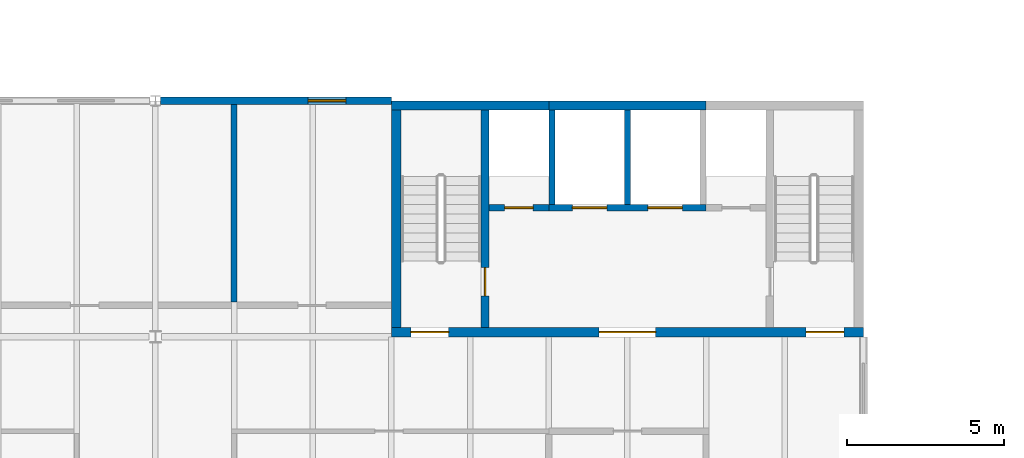
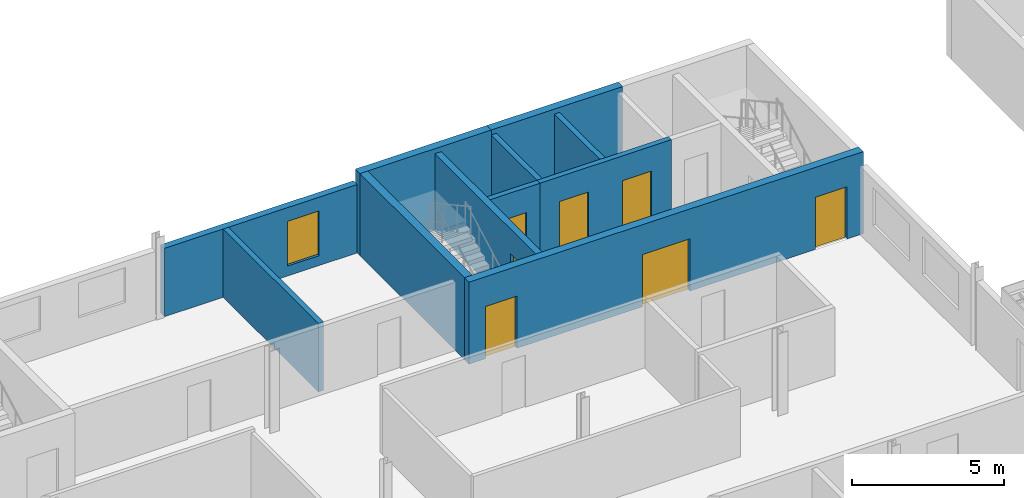
# One storey, part 48 of 198: 11 walls, 7 doors, 1 window, 8 openings.
"""IFC4 building model written with IfcOpenShell, lengths in metres."""

from ifc_helpers import new_model, si_unit, direction, frame, frame_2d, origin, place, context, subcontext, project, spatial, rectangle, extrude, material, layer, layer_set, type_object, element, fill, save


model = new_model("IFC4")

# Units and contexts
model_context = context("Model", 3, precision=1e-05, world=origin(), true_north=direction((0.0, 1.0)))
body_context = subcontext(model_context, "Body", "Model", "MODEL_VIEW")
ifc_project = project(units=[si_unit("LENGTHUNIT", "METRE"), si_unit("AREAUNIT", "SQUARE_METRE"), si_unit("VOLUMEUNIT", "CUBIC_METRE"), si_unit("PLANEANGLEUNIT", "RADIAN"), si_unit("MASSUNIT", "GRAM", prefix="KILO")], contexts=[model_context])

# Site, building, storey
site_placement = place(None, origin())
site = spatial("IfcSite", under=ifc_project, at=site_placement, CompositionType="ELEMENT")
building_placement = place(site_placement, origin())
building = spatial("IfcBuilding", under=site, at=building_placement, Name="Parallax Yard Mobility Hub", CompositionType="ELEMENT")
storey_placement = place(building_placement, frame((0.0, 0.0, 6.60009765625)))
storey = spatial("IfcBuildingStorey", under=building, at=storey_placement, Name="L02", CompositionType="ELEMENT", Elevation=6.60009765625)

# Wall, openings, doors
ifc_material_1 = material(Name="Concrete fc' 35 MPa", Category="concrete")
ifc_layer_1 = layer(ifc_material_1, 0.300048828125)
ifc_layer_set_1 = layer_set([ifc_layer_1], Name="Concrete fc' 35 MPa core wall 300")
wall_type_1 = type_object("IfcWallType", Name="Concrete fc' 35 MPa core wall 300", PredefinedType="SHEAR", material=ifc_layer_set_1)
wall_1_placement = place(storey_placement, frame((142.5, 45.14990234375, 0.0), z_axis=(0.0, 0.0, 1.0), x_axis=(-1.0, 0.0, 0.0)))
wall_1 = element("IfcWall", 1, at=wall_1_placement, inside=storey, type_object=wall_type_1, Name="Core C6-E entry wall level L02", PredefinedType="SHEAR", context=body_context, shape_type="SweptSolid", body=[
    extrude(rectangle(XDim=15.0, YDim=0.300048828125, at=frame_2d((7.5, 0.0))), origin(), (0.0, 0.0, 1.0), 3.2998046875),
])
opening_1_placement = place(wall_1_placement, frame((13.179931640625, 0.0, 0.0)))
opening_1 = element("IfcOpeningElement", 2, at=opening_1_placement, cuts=wall_1, Name="Opening L02-D742", PredefinedType="OPENING", context=body_context, shape_type="SweptSolid", body=[
    extrude(rectangle(XDim=1.199951171875, YDim=2.10009765625, at=frame_2d((0.60009765625, 1.050048828125))), frame((0.0, 0.16015625, 0.0), z_axis=(0.0, -1.0, 0.0), x_axis=(1.0, 0.0, 0.0)), (0.0, 0.0, 1.0), 0.320068359375),
])
opening_2_placement = place(wall_1_placement, frame((0.6201171875, 0.0, 0.0)))
opening_2 = element("IfcOpeningElement", 3, at=opening_2_placement, cuts=wall_1, Name="Opening L02-D743", PredefinedType="OPENING", context=body_context, shape_type="SweptSolid", body=[
    extrude(rectangle(XDim=1.199951171875, YDim=2.10009765625, at=frame_2d((0.60009765625, 1.050048828125))), frame((0.0, 0.16015625, 0.0), z_axis=(0.0, -1.0, 0.0), x_axis=(1.0, 0.0, 0.0)), (0.0, 0.0, 1.0), 0.320068359375),
])
opening_3_placement = place(wall_1_placement, frame((6.60009765625, 0.0, 0.0)))
opening_3 = element("IfcOpeningElement", 4, at=opening_3_placement, cuts=wall_1, Name="Opening L02-D744", PredefinedType="OPENING", context=body_context, shape_type="SweptSolid", body=[
    extrude(rectangle(XDim=1.800048828125, YDim=2.10009765625, at=frame_2d((0.89990234375, 1.050048828125))), frame((0.0, 0.16015625, 0.0), z_axis=(0.0, -1.0, 0.0), x_axis=(1.0, 0.0, 0.0)), (0.0, 0.0, 1.0), 0.320068359375),
])
ifc_material_2 = material(Name="Hollow metal steel door and frame", Category="steel")
door_type_1 = type_object("IfcDoorType", Name="Core door 1200 x 2100 FD90", OperationType="NOTDEFINED", PredefinedType="DOOR", material=ifc_material_2)
door_1_placement = place(opening_1_placement, origin())
door_1 = element("IfcDoor", 5, at=door_1_placement, inside=storey, type_object=door_type_1, Name="Stair deck door L02-D742, core C6-E level L02", OperationType="SINGLE_SWING_RIGHT", OverallHeight=2.10009765625, OverallWidth=1.199951171875, PredefinedType="DOOR", context=body_context, shape_type="SweptSolid", body=[
    extrude(rectangle(XDim=1.199951171875, YDim=2.10009765625, at=frame_2d((0.60009765625, 1.050048828125))), frame((0.0, 0.02490234375, 0.0), z_axis=(0.0, -1.0, 0.0), x_axis=(1.0, 0.0, 0.0)), (0.0, 0.0, 1.0), 0.050048828125),
])
fill(opening_1, door_1)
door_2_placement = place(opening_2_placement, origin())
door_2 = element("IfcDoor", 6, at=door_2_placement, inside=storey, type_object=door_type_1, Name="Stair deck door L02-D743, core C6-E level L02", OperationType="SINGLE_SWING_LEFT", OverallHeight=2.10009765625, OverallWidth=1.199951171875, PredefinedType="DOOR", context=body_context, shape_type="SweptSolid", body=[
    extrude(rectangle(XDim=1.199951171875, YDim=2.10009765625, at=frame_2d((0.60009765625, 1.050048828125))), frame((0.0, 0.02490234375, 0.0), z_axis=(0.0, -1.0, 0.0), x_axis=(1.0, 0.0, 0.0)), (0.0, 0.0, 1.0), 0.050048828125),
])
fill(opening_2, door_2)
door_type_2 = type_object("IfcDoorType", Name="Core double door 1800 x 2100 FD90", OperationType="NOTDEFINED", PredefinedType="DOOR", material=ifc_material_2)
door_3_placement = place(opening_3_placement, origin())
door_3 = element("IfcDoor", 7, at=door_3_placement, inside=storey, type_object=door_type_2, Name="Lift lobby door L02-D744, core C6-E level L02", OperationType="DOUBLE_DOOR_SINGLE_SWING", OverallHeight=2.10009765625, OverallWidth=1.800048828125, PredefinedType="DOOR", context=body_context, shape_type="SweptSolid", body=[
    extrude(rectangle(XDim=1.800048828125, YDim=2.10009765625, at=frame_2d((0.89990234375, 1.050048828125))), frame((0.0, 0.02490234375, 0.0), z_axis=(0.0, -1.0, 0.0), x_axis=(1.0, 0.0, 0.0)), (0.0, 0.0, 1.0), 0.050048828125),
])
fill(opening_3, door_3)

# Walls
for number, where, z_axis, x_axis, name in (
    (8, (127.5, 52.35009765625, 0.0), (0.0, 0.0, 1.0), (1.0, 0.0, 0.0), "Core C6-E back wall part 1 level L02"),
    (9, (132.5, 52.35009765625, 0.0), (0.0, 0.0, 1.0), (1.0, 0.0, 0.0), "Core C6-E back wall part 2 level L02"),
):
    element("IfcWall", number, at=place(storey_placement, frame(where, z_axis=z_axis, x_axis=x_axis)), inside=storey, type_object=wall_type_1, Name=name, PredefinedType="SHEAR", context=body_context, shape_type="SweptSolid", body=[
        extrude(rectangle(XDim=5.0, YDim=0.300048828125, at=frame_2d((2.5, 0.0))), origin(), (0.0, 0.0, 1.0), 3.2998046875),
    ])
wall_2_placement = place(storey_placement, frame((127.64990234375, 45.300048828125, 0.0), z_axis=(0.0, 0.0, 1.0), x_axis=(0.0, 1.0, 0.0)))
element("IfcWall", 10, at=wall_2_placement, inside=storey, type_object=wall_type_1, Name="Core C6-E west-side end wall level L02", PredefinedType="SHEAR", context=body_context, shape_type="SweptSolid", body=[
    extrude(rectangle(XDim=6.89990234375, YDim=0.300048828125, at=frame_2d((3.449951171875, 0.0))), origin(), (0.0, 0.0, 1.0), 3.2998046875),
])

# Wall, opening, door
ifc_layer_2 = layer(ifc_material_1, 0.199951171875)
ifc_layer_set_2 = layer_set([ifc_layer_2], Name="Concrete fc' 35 MPa internal core wall 200")
wall_type_2 = type_object("IfcWallType", Name="Concrete fc' 35 MPa internal core wall 200", PredefinedType="STANDARD", material=ifc_layer_set_2)
wall_3_placement = place(storey_placement, frame((132.5, 49.10009765625, 0.0), z_axis=(0.0, 0.0, 1.0), x_axis=(-1.0, 0.0, 0.0)))
wall_3 = element("IfcWall", 11, at=wall_3_placement, inside=storey, type_object=wall_type_2, Name="Core C6-E lift front 1 part 1 level L02", PredefinedType="STANDARD", context=body_context, shape_type="SweptSolid", body=[
    extrude(rectangle(XDim=1.89990234375, YDim=0.199951171875, at=frame_2d((0.949951171875, 0.0))), origin(), (0.0, 0.0, 1.0), 3.099853515625),
])
opening_4_placement = place(wall_3_placement, frame((0.5, 0.0, 0.0)))
opening_4 = element("IfcOpeningElement", 12, at=opening_4_placement, cuts=wall_3, Name="Opening L02-D749", PredefinedType="OPENING", context=body_context, shape_type="SweptSolid", body=[
    extrude(rectangle(XDim=0.89990234375, YDim=2.10009765625, at=frame_2d((0.449951171875, 1.050048828125))), frame((0.0, 0.10986328125, 0.0), z_axis=(0.0, -1.0, 0.0), x_axis=(1.0, 0.0, 0.0)), (0.0, 0.0, 1.0), 0.219970703125),
])
door_type_3 = type_object("IfcDoorType", Name="Riser door 900 x 2100 FD90", OperationType="NOTDEFINED", PredefinedType="DOOR", material=ifc_material_2)
door_4_placement = place(opening_4_placement, origin())
door_4 = element("IfcDoor", 13, at=door_4_placement, inside=storey, type_object=door_type_3, Name="Riser door L02-D749, core C6-E level L02", OperationType="SINGLE_SWING_RIGHT", OverallHeight=2.10009765625, OverallWidth=0.89990234375, PredefinedType="DOOR", context=body_context, shape_type="SweptSolid", body=[
    extrude(rectangle(XDim=0.89990234375, YDim=2.10009765625, at=frame_2d((0.449951171875, 1.050048828125))), frame((0.0, 0.02490234375, 0.0), z_axis=(0.0, -1.0, 0.0), x_axis=(1.0, 0.0, 0.0)), (0.0, 0.0, 1.0), 0.050048828125),
])
fill(opening_4, door_4)

# Wall, openings, doors
wall_4_placement = place(storey_placement, frame((132.5, 49.10009765625, 0.0), z_axis=(0.0, 0.0, 1.0), x_axis=(1.0, 0.0, 0.0)))
wall_4 = element("IfcWall", 14, at=wall_4_placement, inside=storey, type_object=wall_type_2, Name="Core C6-E lift front 2 part 2 level L02", PredefinedType="STANDARD", context=body_context, shape_type="SweptSolid", body=[
    extrude(rectangle(XDim=5.0, YDim=0.199951171875, at=frame_2d((2.5, 0.0))), origin(), (0.0, 0.0, 1.0), 3.099853515625),
])
opening_5_placement = place(wall_4_placement, frame((0.75, 0.0, 0.0)))
opening_5 = element("IfcOpeningElement", 15, at=opening_5_placement, cuts=wall_4, Name="Opening L02-D747", PredefinedType="OPENING", context=body_context, shape_type="SweptSolid", body=[
    extrude(rectangle(XDim=1.10009765625, YDim=2.10009765625, at=frame_2d((0.550048828125, 1.050048828125))), frame((0.0, 0.10986328125, 0.0), z_axis=(0.0, -1.0, 0.0), x_axis=(1.0, 0.0, 0.0)), (0.0, 0.0, 1.0), 0.219970703125),
])
opening_6_placement = place(wall_4_placement, frame((3.14990234375, 0.0, 0.0)))
opening_6 = element("IfcOpeningElement", 16, at=opening_6_placement, cuts=wall_4, Name="Opening L02-D748", PredefinedType="OPENING", context=body_context, shape_type="SweptSolid", body=[
    extrude(rectangle(XDim=1.10009765625, YDim=2.10009765625, at=frame_2d((0.550048828125, 1.050048828125))), frame((0.0, 0.10986328125, 0.0), z_axis=(0.0, -1.0, 0.0), x_axis=(1.0, 0.0, 0.0)), (0.0, 0.0, 1.0), 0.219970703125),
])
ifc_material_3 = material(Name="Stainless steel sliding door and frame", Category="steel")
door_type_4 = type_object("IfcDoorType", Name="Lift landing door 1100 x 2100 FD90", OperationType="DOUBLE_DOOR_SLIDING", PredefinedType="DOOR", material=ifc_material_3)
door_5_placement = place(opening_5_placement, origin())
door_5 = element("IfcDoor", 17, at=door_5_placement, inside=storey, type_object=door_type_4, Name="Lift landing door L02-D747, core C6-E level L02", OperationType="DOUBLE_DOOR_SLIDING", OverallHeight=2.10009765625, OverallWidth=1.10009765625, PredefinedType="DOOR", context=body_context, shape_type="SweptSolid", body=[
    extrude(rectangle(XDim=1.10009765625, YDim=2.10009765625, at=frame_2d((0.550048828125, 1.050048828125))), frame((0.0, 0.02490234375, 0.0), z_axis=(0.0, -1.0, 0.0), x_axis=(1.0, 0.0, 0.0)), (0.0, 0.0, 1.0), 0.050048828125),
])
fill(opening_5, door_5)
door_6_placement = place(opening_6_placement, origin())
door_6 = element("IfcDoor", 18, at=door_6_placement, inside=storey, type_object=door_type_4, Name="Lift landing door L02-D748, core C6-E level L02", OperationType="DOUBLE_DOOR_SLIDING", OverallHeight=2.10009765625, OverallWidth=1.10009765625, PredefinedType="DOOR", context=body_context, shape_type="SweptSolid", body=[
    extrude(rectangle(XDim=1.10009765625, YDim=2.10009765625, at=frame_2d((0.550048828125, 1.050048828125))), frame((0.0, 0.02490234375, 0.0), z_axis=(0.0, -1.0, 0.0), x_axis=(1.0, 0.0, 0.0)), (0.0, 0.0, 1.0), 0.050048828125),
])
fill(opening_6, door_6)

# Walls
for number, where, z_axis, x_axis, name in (
    (19, (132.60009765625, 49.199951171875, 0.0), (0.0, 0.0, 1.0), (0.0, 1.0, 0.0), "Core C6-E lift wall 1 part 1 level L02"),
    (20, (135.0, 49.199951171875, 0.0), (0.0, 0.0, 1.0), (0.0, 1.0, 0.0), "Core C6-E lift wall 2 part 2 level L02"),
):
    element("IfcWall", number, at=place(storey_placement, frame(where, z_axis=z_axis, x_axis=x_axis)), inside=storey, type_object=wall_type_2, Name=name, PredefinedType="STANDARD", context=body_context, shape_type="SweptSolid", body=[
        extrude(rectangle(XDim=3.0, YDim=0.199951171875, at=frame_2d((1.5, 0.0))), origin(), (0.0, 0.0, 1.0), 3.099853515625),
    ])

# Wall, opening, door
ifc_layer_3 = layer(ifc_material_1, 0.25)
ifc_layer_set_3 = layer_set([ifc_layer_3], Name="Concrete fc' 35 MPa stair enclosure wall 250")
wall_type_3 = type_object("IfcWallType", Name="Concrete fc' 35 MPa stair enclosure wall 250", PredefinedType="STANDARD", material=ifc_layer_set_3)
wall_5_placement = place(storey_placement, frame((130.47509765625, 45.300048828125, 0.0), z_axis=(0.0, 0.0, 1.0), x_axis=(0.0, 1.0, 0.0)))
wall_5 = element("IfcWall", 21, at=wall_5_placement, inside=storey, type_object=wall_type_3, Name="Core C6-E stair 1 partition level L02", PredefinedType="STANDARD", context=body_context, shape_type="SweptSolid", body=[
    extrude(rectangle(XDim=6.89990234375, YDim=0.25, at=frame_2d((3.449951171875, 0.0))), origin(), (0.0, 0.0, 1.0), 3.099853515625),
])
opening_7_placement = place(wall_5_placement, frame((1.0, 0.0, 0.0)))
opening_7 = element("IfcOpeningElement", 22, at=opening_7_placement, cuts=wall_5, Name="Opening L02-D745", PredefinedType="OPENING", context=body_context, shape_type="SweptSolid", body=[
    extrude(rectangle(XDim=0.89990234375, YDim=2.10009765625, at=frame_2d((0.449951171875, 1.050048828125))), frame((0.0, 0.135009765625, 0.0), z_axis=(0.0, -1.0, 0.0), x_axis=(1.0, 0.0, 0.0)), (0.0, 0.0, 1.0), 0.27001953125),
])
door_type_5 = type_object("IfcDoorType", Name="Core door 900 x 2100 FD90", OperationType="NOTDEFINED", PredefinedType="DOOR", material=ifc_material_2)
door_7_placement = place(opening_7_placement, origin())
door_7 = element("IfcDoor", 23, at=door_7_placement, inside=storey, type_object=door_type_5, Name="Stair lobby door L02-D745, core C6-E level L02", OperationType="SINGLE_SWING_LEFT", OverallHeight=2.10009765625, OverallWidth=0.89990234375, PredefinedType="DOOR", context=body_context, shape_type="SweptSolid", body=[
    extrude(rectangle(XDim=0.89990234375, YDim=2.10009765625, at=frame_2d((0.449951171875, 1.050048828125))), frame((0.0, 0.02490234375, 0.0), z_axis=(0.0, -1.0, 0.0), x_axis=(1.0, 0.0, 0.0)), (0.0, 0.0, 1.0), 0.050048828125),
])
fill(opening_7, door_7)

# Wall, opening, window
ifc_layer_4 = layer(ifc_material_1, 0.25)
ifc_layer_set_4 = layer_set([ifc_layer_4], Name="Exterior wall, Concrete fc' 35 MPa precast, 250 with insulation lining")
wall_type_4 = type_object("IfcWallType", Name="Exterior wall, Concrete fc' 35 MPa precast, 250 with insulation lining", PredefinedType="SOLIDWALL", material=ifc_layer_set_4)
wall_6_placement = place(storey_placement, frame((120.1640625, 52.5, 0.0), z_axis=(0.0, 0.0, 1.0), x_axis=(1.0, 0.0, 0.0)))
wall_6 = element("IfcWall", 24, at=wall_6_placement, inside=storey, type_object=wall_type_4, Name="Mobility service centre and workshops north wall bay 2 level L02", PredefinedType="SOLIDWALL", context=body_context, shape_type="SweptSolid", body=[
    extrude(rectangle(XDim=7.3359375, YDim=0.25, at=frame_2d((3.66796875, 0.0))), origin(), (0.0, 0.0, 1.0), 2.7509765625),
])
opening_8_placement = place(wall_6_placement, frame((4.690673828125, 0.0, 0.39990234375)))
opening_8 = element("IfcOpeningElement", 25, at=opening_8_placement, cuts=wall_6, Name="Opening LV7", PredefinedType="OPENING", context=body_context, shape_type="SweptSolid", body=[
    extrude(rectangle(XDim=1.199951171875, YDim=1.800048828125, at=frame_2d((0.60009765625, 0.89990234375))), frame((0.0, 0.135009765625, 0.0), z_axis=(0.0, -1.0, 0.0), x_axis=(1.0, 0.0, 0.0)), (0.0, 0.0, 1.0), 0.27001953125),
])
ifc_material_4 = material(Name="Extruded aluminium storm louvre blades in a powder-coated frame", Category="aluminium")
window_type = type_object("IfcWindowType", Name="Store louvre 1200 x 1800", PartitioningType="SINGLE_PANEL", PredefinedType="WINDOW", material=ifc_material_4)
window_placement = place(opening_8_placement, origin())
window = element("IfcWindow", 26, at=window_placement, inside=storey, type_object=window_type, Name="LV7 louvre level L02", OverallHeight=1.800048828125, OverallWidth=1.199951171875, PartitioningType="SINGLE_PANEL", PredefinedType="WINDOW", context=body_context, shape_type="SweptSolid", body=[
    extrude(rectangle(XDim=1.199951171875, YDim=1.800048828125, at=frame_2d((0.60009765625, 0.89990234375))), frame((0.0, 0.030029296875, 0.0), z_axis=(0.0, -1.0, 0.0), x_axis=(1.0, 0.0, 0.0)), (0.0, 0.0, 1.0), 0.06005859375),
])
fill(opening_8, window)

# Wall
ifc_material_5 = material(Name="Fire-rated plasterboard partition, two layers each side")
ifc_layer_5 = layer(ifc_material_5, 0.199951171875)
ifc_layer_set_5 = layer_set([ifc_layer_5], Name="Fire-rated partition 200 mm")
wall_type_5 = type_object("IfcWallType", Name="Fire-rated partition 200 mm", PredefinedType="PARTITIONING", material=ifc_layer_set_5)
wall_7_placement = place(storey_placement, frame((122.5, 46.10009765625, 0.0), z_axis=(0.0, 0.0, 1.0), x_axis=(0.0, 1.0, 0.0)))
element("IfcWall", 27, at=wall_7_placement, inside=storey, type_object=wall_type_5, Name="Partition 41 level L02", PredefinedType="PARTITIONING", context=body_context, shape_type="SweptSolid", body=[
    extrude(rectangle(XDim=6.27490234375, YDim=0.199951171875, at=frame_2d((3.137451171875, 0.0))), origin(), (0.0, 0.0, 1.0), 2.7509765625),
])

save(model, "model.ifc")
